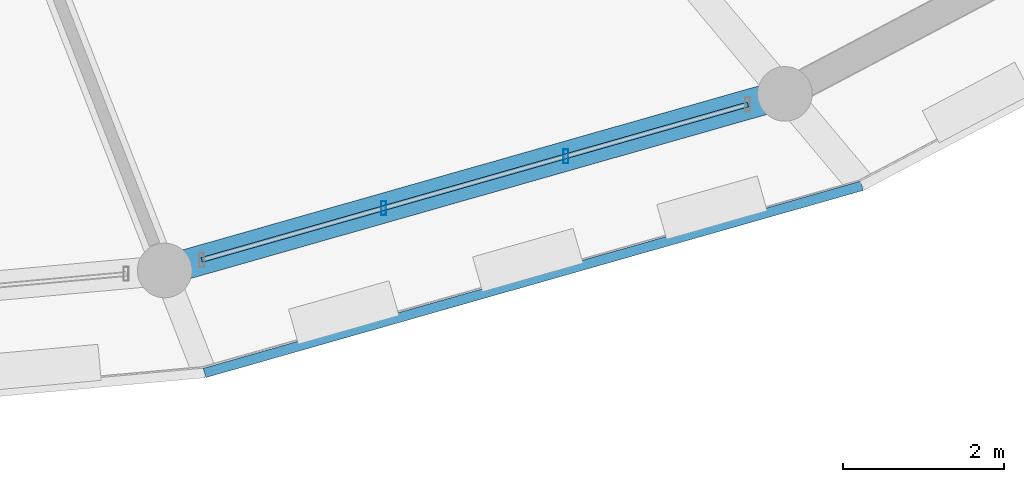
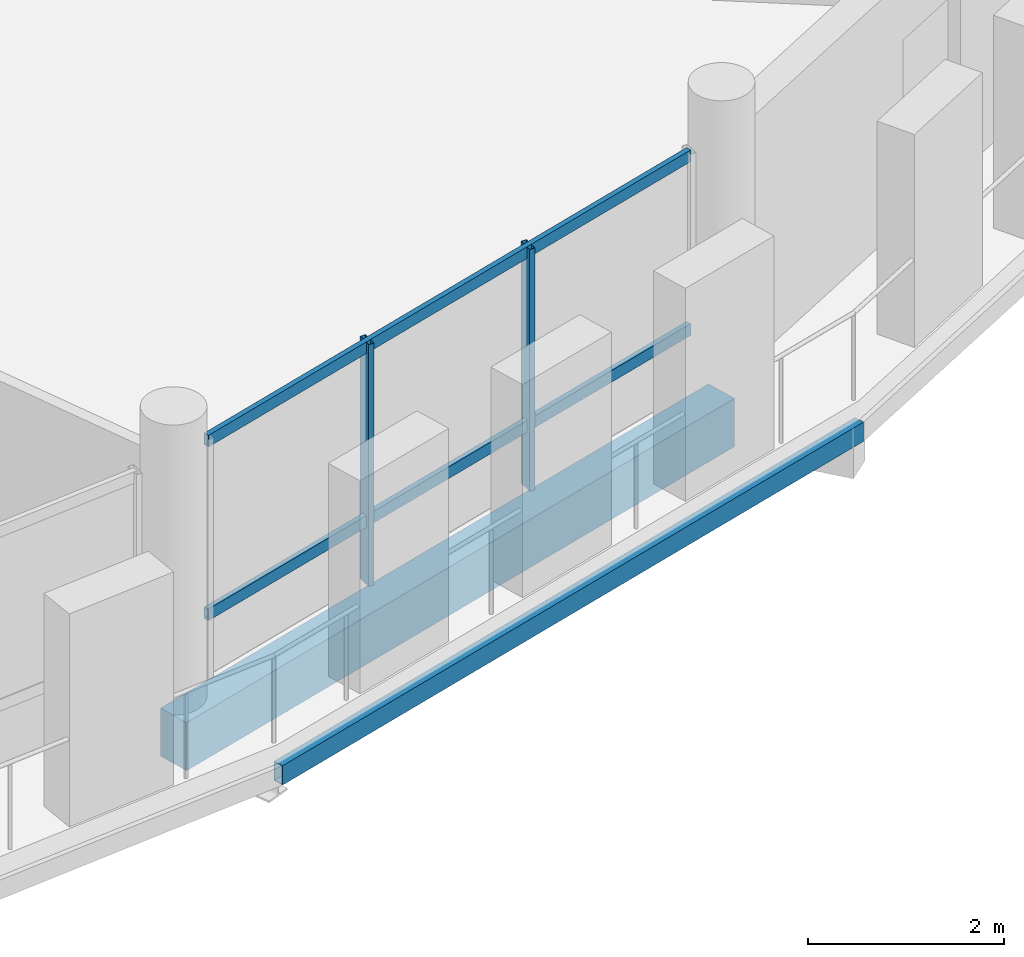
# One storey, part 48 of 128: 4 members, 2 beams, 1 element without a shape of its own.
"""IFC4 building model written with IfcOpenShell, lengths in metres."""

from ifc_helpers import new_model, si_unit, direction, frame, origin, origin_2d, place, context, subcontext, project, spatial, rectangle, hollow_rectangle, extrude, material, material_profile, profile_set, type_object, element, aggregate, save


model = new_model("IFC4")

# Units and contexts
model_context = context("Model", 3, precision=1e-05, world=origin(), true_north=direction((0.0, 1.0)))
body_context = subcontext(model_context, "Body", "Model", "MODEL_VIEW")
ifc_project = project(units=[si_unit("LENGTHUNIT", "METRE"), si_unit("AREAUNIT", "SQUARE_METRE"), si_unit("VOLUMEUNIT", "CUBIC_METRE"), si_unit("PLANEANGLEUNIT", "RADIAN"), si_unit("MASSUNIT", "GRAM", prefix="KILO")], contexts=[model_context])

# Site, building, storey
site_placement = place(None, origin())
site = spatial("IfcSite", under=ifc_project, at=site_placement, CompositionType="ELEMENT")
building_placement = place(site_placement, origin())
building = spatial("IfcBuilding", under=site, at=building_placement, Name="Zornivar Specialist Clinic", CompositionType="ELEMENT")
storey_placement = place(building_placement, frame((0.0, 0.0, 4.5)))
storey = spatial("IfcBuildingStorey", under=building, at=storey_placement, Name="L01", CompositionType="ELEMENT", Elevation=4.5)

# Beams
ifc_material_1 = material(Name="Concrete C30/37", Category="concrete")
ifc_material_profile_1 = material_profile(ifc_material_1, rectangle(XDim=0.3701171875, YDim=0.60009765625, at=origin_2d()), Name="RC 370x600")
ifc_profile_set_1 = profile_set([ifc_material_profile_1], Name="Concrete C30/37")
beam_type_1 = type_object("IfcBeamType", Name="BM-RC-SPANDREL-370x600", PredefinedType="SPANDREL", material=ifc_profile_set_1)
beam_1_placement = place(storey_placement, frame((101.882080078125, 36.35009765625, -0.5400390625), z_axis=(0.961790992591, 0.273784744957, 0.0), x_axis=(-0.273784744957, 0.961790992591, 0.0)))
element("IfcBeam", 1, at=beam_1_placement, inside=storey, type_object=beam_type_1, Name="bm:V1:L01:outring:19", PredefinedType="SPANDREL", context=body_context, shape_type="SweptSolid", body=[
    extrude(rectangle(XDim=0.3701171875, YDim=0.60009765625, at=origin_2d()), origin(), (0.0, 0.0, 1.0), 8.024658203125),
])
ifc_material_2 = material(Name="Steel S355J2", Category="steel")
ifc_material_profile_2 = material_profile(ifc_material_2, hollow_rectangle(XDim=0.1201171875, YDim=0.239990234375, WallThickness=0.008056640625, at=origin_2d()), Name="RHS 240x120x8")
ifc_profile_set_2 = profile_set([ifc_material_profile_2], Name="Steel S355J2")
beam_type_2 = type_object("IfcBeamType", Name="BM-STL-RHS240", PredefinedType="JOIST", material=ifc_profile_set_2)
beam_2_placement = place(storey_placement, frame((102.37890625, 35.074951171875, -0.360107421875), z_axis=(0.961783454314, 0.273811225131, 0.0), x_axis=(-0.273811225131, 0.961783454314, 0.0)))
element("IfcBeam", 2, at=beam_2_placement, inside=storey, type_object=beam_type_2, Name="bm:V1:L01:balring:19", PredefinedType="JOIST", context=body_context, shape_type="SweptSolid", body=[
    extrude(hollow_rectangle(XDim=0.1201171875, YDim=0.239990234375, WallThickness=0.008056640625, at=origin_2d()), origin(), (0.0, 0.0, 1.0), 8.50634765625),
])

# Curtain wall, members
ifc_material_3 = material(Name="Aluminium and Low-E Glass Curtain Wall", Category="aluminium")
curtain_wall_type = type_object("IfcCurtainWallType", Name="CW-DRUM-FACET", PredefinedType="NOTDEFINED", material=ifc_material_3)
curtain_wall_placement = place(storey_placement, origin())
curtain_wall = element("IfcCurtainWall", 3, at=curtain_wall_placement, inside=storey, type_object=curtain_wall_type, Name="cw:V1:L01:c19", PredefinedType="NOTDEFINED")
ifc_material_4 = material(Name="Aluminium AW-6060", Category="aluminium")
ifc_material_profile_3 = material_profile(ifc_material_4, hollow_rectangle(XDim=0.06494140625, YDim=0.175048828125, WallThickness=0.00439453125, at=origin_2d()), Name="ALU 65x175x4.5")
ifc_profile_set_3 = profile_set([ifc_material_profile_3], Name="Aluminium AW-6060")
member_type_1 = type_object("IfcMemberType", Name="CWM-MUL-175", PredefinedType="MULLION", material=ifc_profile_set_3)
member_1_placement = place(storey_placement, frame((104.60791015625, 37.1259765625, 0.0), z_axis=(0.0, 0.0, 1.0), x_axis=(1.0, 0.0, 0.0)))
member_1 = element("IfcMember", 4, at=member_1_placement, type_object=member_type_1, Name="cw:V1:L01:c19:mul:1", PredefinedType="MULLION", context=body_context, shape_type="SweptSolid", body=[
    extrude(hollow_rectangle(XDim=0.06494140625, YDim=0.175048828125, WallThickness=0.00439453125, at=origin_2d()), origin(), (0.0, 0.0, 1.0), 3.010009765625),
])
member_2_placement = place(storey_placement, frame((106.8740234375, 37.77001953125, 0.0), z_axis=(0.0, 0.0, 1.0), x_axis=(1.0, 0.0, 0.0)))
member_2 = element("IfcMember", 5, at=member_2_placement, type_object=member_type_1, Name="cw:V1:L01:c19:mul:2", PredefinedType="MULLION", context=body_context, shape_type="SweptSolid", body=[
    extrude(hollow_rectangle(XDim=0.06494140625, YDim=0.175048828125, WallThickness=0.00439453125, at=origin_2d()), origin(), (0.0, 0.0, 1.0), 3.010009765625),
])
ifc_material_5 = material(Name="Aluminium AW-6060", Category="aluminium")
ifc_material_profile_4 = material_profile(ifc_material_5, hollow_rectangle(XDim=0.06005859375, YDim=0.14501953125, WallThickness=0.00390625, at=origin_2d()), Name="ALU 60x145x4")
ifc_profile_set_4 = profile_set([ifc_material_profile_4], Name="Aluminium AW-6060")
member_type_2 = type_object("IfcMemberType", Name="CWM-TRN-145", PredefinedType="USERDEFINED", material=ifc_profile_set_4)
member_3_placement = place(storey_placement, frame((102.343017578125, 36.48095703125, 0.782958984375), z_axis=(0.961771283353, 0.27385397298, 0.0), x_axis=(-0.27385397298, 0.961771283353, 0.0)))
member_3 = element("IfcMember", 6, at=member_3_placement, type_object=member_type_2, Name="cw:V1:L01:c19:trn:0", ObjectType="TRANSOM", PredefinedType="USERDEFINED", context=body_context, shape_type="SweptSolid", body=[
    extrude(hollow_rectangle(XDim=0.06005859375, YDim=0.14501953125, WallThickness=0.00390625, at=origin_2d()), origin(), (0.0, 0.0, 1.0), 7.06591796875),
])
member_4_placement = place(storey_placement, frame((102.343017578125, 36.48095703125, 2.945068359375), z_axis=(0.961771283353, 0.27385397298, 0.0), x_axis=(-0.27385397298, 0.961771283353, 0.0)))
member_4 = element("IfcMember", 7, at=member_4_placement, type_object=member_type_2, Name="cw:V1:L01:c19:trn:1", ObjectType="TRANSOM", PredefinedType="USERDEFINED", context=body_context, shape_type="SweptSolid", body=[
    extrude(hollow_rectangle(XDim=0.06005859375, YDim=0.14501953125, WallThickness=0.00390625, at=origin_2d()), origin(), (0.0, 0.0, 1.0), 7.06591796875),
])
aggregate(curtain_wall, [member_1, member_2, member_3, member_4])

save(model, "model.ifc")
